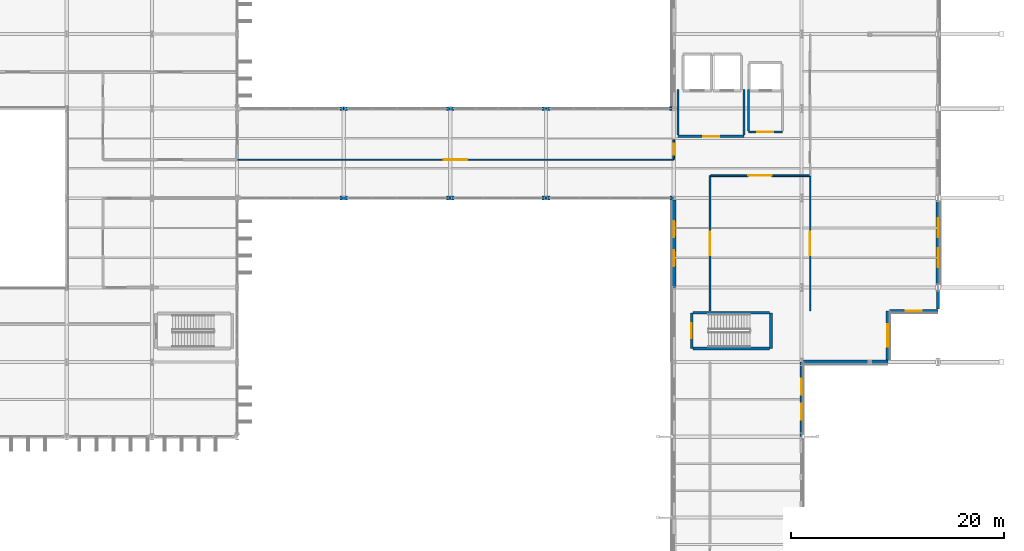
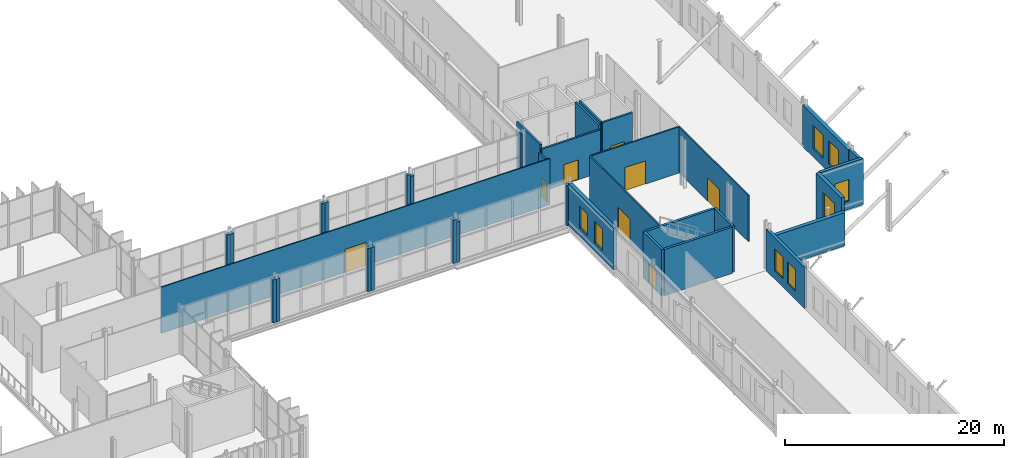
# One storey, part 126 of 147: 35 walls, 8 doors, 8 windows, 16 openings.
"""IFC4 building model written with IfcOpenShell, lengths in metres."""

from ifc_helpers import new_model, si_unit, direction, frame, frame_2d, origin, place, context, subcontext, project, spatial, rectangle, extrude, material, layer, layer_set, type_object, element, fill, save


model = new_model("IFC4")

# Units and contexts
model_context = context("Model", 3, precision=1e-05, world=origin(), true_north=direction((0.0, 1.0)))
body_context = subcontext(model_context, "Body", "Model", "MODEL_VIEW")
ifc_project = project(units=[si_unit("LENGTHUNIT", "METRE"), si_unit("AREAUNIT", "SQUARE_METRE"), si_unit("VOLUMEUNIT", "CUBIC_METRE"), si_unit("PLANEANGLEUNIT", "RADIAN"), si_unit("MASSUNIT", "GRAM", prefix="KILO")], contexts=[model_context])

# Site, building, storey
site_placement = place(None, origin())
site = spatial("IfcSite", under=ifc_project, at=site_placement, CompositionType="ELEMENT")
building_placement = place(site_placement, origin())
building = spatial("IfcBuilding", under=site, at=building_placement, Name="Vekula Escarpment Museum", CompositionType="ELEMENT")
storey_placement = place(building_placement, frame((0.0, 0.0, 7.800048828125)))
storey = spatial("IfcBuildingStorey", under=building, at=storey_placement, Name="L02", CompositionType="ELEMENT", Elevation=7.800048828125)

# Wall, openings, windows
ifc_material_1 = material(Name="Inkisi arkosic sandstone masonry", Category="masonry")
ifc_layer_1 = layer(ifc_material_1, 0.300048828125)
ifc_layer_set_1 = layer_set([ifc_layer_1], Name="Inkisi arkosic sandstone masonry")
wall_type_1 = type_object("IfcWallType", Name="WL-ALM-300", PredefinedType="SOLIDWALL", material=ifc_layer_set_1)
wall_1_placement = place(storey_placement, frame((179.0, 52.60009765625, 0.0), z_axis=(0.0, 0.0, 1.0), x_axis=(0.0, -1.0, 0.0)))
wall_1 = element("IfcWall", 1, at=wall_1_placement, inside=storey, type_object=wall_type_1, Name="Exterior Wall WL-EXT-L02-0387", PredefinedType="SOLIDWALL", context=body_context, shape_type="SweptSolid", body=[
    extrude(rectangle(XDim=7.0, YDim=0.300048828125, at=frame_2d((3.5, 0.0))), origin(), (0.0, 0.0, 1.0), 4.60498046875),
])
opening_1_placement = place(wall_1_placement, frame((1.583251953125, 0.0, 0.949951171875)))
opening_1 = element("IfcOpeningElement", 2, at=opening_1_placement, cuts=wall_1, Name="Opening WN-06", PredefinedType="OPENING", context=body_context, shape_type="SweptSolid", body=[
    extrude(rectangle(XDim=1.5, YDim=2.39990234375, at=frame_2d((0.75, 1.199951171875))), frame((0.0, 0.159912109375, 0.0), z_axis=(0.0, -1.0, 0.0), x_axis=(1.0, 0.0, 0.0)), (0.0, 0.0, 1.0), 0.320068359375),
])
opening_2_placement = place(wall_1_placement, frame((3.916748046875, 0.0, 0.949951171875)))
opening_2 = element("IfcOpeningElement", 3, at=opening_2_placement, cuts=wall_1, Name="Opening WN-06", PredefinedType="OPENING", context=body_context, shape_type="SweptSolid", body=[
    extrude(rectangle(XDim=1.5, YDim=2.39990234375, at=frame_2d((0.75, 1.199951171875))), frame((0.0, 0.159912109375, 0.0), z_axis=(0.0, -1.0, 0.0), x_axis=(1.0, 0.0, 0.0)), (0.0, 0.0, 1.0), 0.320068359375),
])
ifc_material_2 = material(Name="Double solar-control low-E glass", Category="glass")
window_type_1 = type_object("IfcWindowType", Name="WN-CUMBA-15x24", PartitioningType="SINGLE_PANEL", PredefinedType="WINDOW", material=ifc_material_2)
window_1_placement = place(opening_1_placement, origin())
window_1 = element("IfcWindow", 4, at=window_1_placement, inside=storey, type_object=window_type_1, Name="Window L02-0181", OverallHeight=2.39990234375, OverallWidth=1.5, PartitioningType="SINGLE_PANEL", PredefinedType="WINDOW", context=body_context, shape_type="SweptSolid", body=[
    extrude(rectangle(XDim=1.5, YDim=2.39990234375, at=frame_2d((0.75, 1.199951171875))), frame((0.0, 0.030029296875, 0.0), z_axis=(0.0, -1.0, 0.0), x_axis=(1.0, 0.0, 0.0)), (0.0, 0.0, 1.0), 0.06005859375),
])
fill(opening_1, window_1)
window_2_placement = place(opening_2_placement, origin())
window_2 = element("IfcWindow", 5, at=window_2_placement, inside=storey, type_object=window_type_1, Name="Window L02-0182", OverallHeight=2.39990234375, OverallWidth=1.5, PartitioningType="SINGLE_PANEL", PredefinedType="WINDOW", context=body_context, shape_type="SweptSolid", body=[
    extrude(rectangle(XDim=1.5, YDim=2.39990234375, at=frame_2d((0.75, 1.199951171875))), frame((0.0, 0.030029296875, 0.0), z_axis=(0.0, -1.0, 0.0), x_axis=(1.0, 0.0, 0.0)), (0.0, 0.0, 1.0), 0.06005859375),
])
fill(opening_2, window_2)

# Wall
wall_2_placement = place(storey_placement, frame((191.800048828125, 59.60009765625, 0.0), z_axis=(0.0, 0.0, 1.0), x_axis=(0.0, -1.0, 0.0)))
element("IfcWall", 6, at=wall_2_placement, inside=storey, type_object=wall_type_1, Name="Exterior Wall WL-EXT-L02-0391", PredefinedType="SOLIDWALL", context=body_context, shape_type="SweptSolid", body=[
    extrude(rectangle(XDim=2.0361328125, YDim=0.300048828125, at=frame_2d((1.01806640625, 0.0))), origin(), (0.0, 0.0, 1.0), 4.81494140625),
])

# Wall, opening, window
ifc_material_3 = material(Name="Inkisi arkosic sandstone masonry", Category="masonry")
ifc_layer_2 = layer(ifc_material_3, 0.320068359375)
ifc_layer_set_2 = layer_set([ifc_layer_2], Name="Inkisi arkosic sandstone masonry")
wall_type_2 = type_object("IfcWallType", Name="WL-ALM-320", PredefinedType="SOLIDWALL", material=ifc_layer_set_2)
wall_3_placement = place(storey_placement, frame((191.800048828125, 57.39990234375, 0.0), z_axis=(0.0, 0.0, 1.0), x_axis=(-1.0, 0.0, 0.0)))
wall_3 = element("IfcWall", 7, at=wall_3_placement, inside=storey, type_object=wall_type_2, Name="Exterior Wall WL-EXT-L02-0390", PredefinedType="SOLIDWALL", context=body_context, shape_type="SweptSolid", body=[
    extrude(rectangle(XDim=4.532958984375, YDim=0.320068359375, at=frame_2d((2.2666015625, 0.0))), origin(), (0.0, 0.0, 1.0), 5.14990234375),
])
opening_3_placement = place(wall_3_placement, frame((1.5166015625, 0.0, 0.949951171875)))
opening_3 = element("IfcOpeningElement", 8, at=opening_3_placement, cuts=wall_3, Name="Opening WN-06", PredefinedType="OPENING", context=body_context, shape_type="SweptSolid", body=[
    extrude(rectangle(XDim=1.5, YDim=2.39990234375, at=frame_2d((0.75, 1.199951171875))), frame((0.0, 0.169921875, 0.0), z_axis=(0.0, -1.0, 0.0), x_axis=(1.0, 0.0, 0.0)), (0.0, 0.0, 1.0), 0.340087890625),
])
window_3_placement = place(opening_3_placement, origin())
window_3 = element("IfcWindow", 9, at=window_3_placement, inside=storey, type_object=window_type_1, Name="Window L02-0184", OverallHeight=2.39990234375, OverallWidth=1.5, PartitioningType="SINGLE_PANEL", PredefinedType="WINDOW", context=body_context, shape_type="SweptSolid", body=[
    extrude(rectangle(XDim=1.5, YDim=2.39990234375, at=frame_2d((0.75, 1.199951171875))), frame((0.0, 0.030029296875, 0.0), z_axis=(0.0, -1.0, 0.0), x_axis=(1.0, 0.0, 0.0)), (0.0, 0.0, 1.0), 0.06005859375),
])
fill(opening_3, window_3)

# Walls
ifc_material_4 = material(Name="Inkisi arkosic sandstone masonry", Category="masonry")
ifc_layer_3 = layer(ifc_material_4, 0.35009765625)
ifc_layer_set_3 = layer_set([ifc_layer_3], Name="Inkisi arkosic sandstone masonry")
wall_type_3 = type_object("IfcWallType", Name="WL-ALM-350", PredefinedType="SOLIDWALL", material=ifc_layer_set_3)
for number, where, z_axis, x_axis, name in (
    (10, (135.639892578125, 68.0, 0.0), (0.0, 0.0, 1.0), (1.0, 0.0, 0.0), "Facade Jamb Pier L02-0353B"),
    (11, (136.0, 68.0, 0.0), (0.0, 0.0, 1.0), (1.0, 0.0, 0.0), "Facade Jamb Pier L02-0354A"),
    (12, (145.639892578125, 68.0, 0.0), (0.0, 0.0, 1.0), (1.0, 0.0, 0.0), "Facade Jamb Pier L02-0355B"),
    (13, (146.0, 68.0, 0.0), (0.0, 0.0, 1.0), (1.0, 0.0, 0.0), "Facade Jamb Pier L02-0356A"),
    (14, (154.639892578125, 68.0, 0.0), (0.0, 0.0, 1.0), (1.0, 0.0, 0.0), "Facade Jamb Pier L02-0357B"),
):
    element("IfcWall", number, at=place(storey_placement, frame(where, z_axis=z_axis, x_axis=x_axis)), inside=storey, type_object=wall_type_3, Name=name, PredefinedType="SOLIDWALL", context=body_context, shape_type="SweptSolid", body=[
        extrude(rectangle(XDim=0.360107421875, YDim=0.35009765625, at=frame_2d((0.18017578125, 0.0))), origin(), (0.0, 0.0, 1.0), 4.81494140625),
    ])
for number, where, z_axis, x_axis, name in (
    (15, (155.0, 68.0, 0.0), (0.0, 0.0, 1.0), (1.0, 0.0, 0.0), "Facade Jamb Pier L02-0358A"),
    (16, (166.639892578125, 68.0, 0.0), (0.0, 0.0, 1.0), (1.0, 0.0, 0.0), "Facade Jamb Pier L02-0359B"),
):
    element("IfcWall", number, at=place(storey_placement, frame(where, z_axis=z_axis, x_axis=x_axis)), inside=storey, type_object=wall_type_3, Name=name, PredefinedType="SOLIDWALL", context=body_context, shape_type="SweptSolid", body=[
        extrude(rectangle(XDim=0.360107421875, YDim=0.35009765625, at=frame_2d((0.18017578125, 0.0))), origin(), (0.0, 0.0, 1.0), 4.5048828125),
    ])

# Wall, opening, window
wall_4_placement = place(storey_placement, frame((187.087890625, 57.39990234375, 0.0), z_axis=(0.0, 0.0, 1.0), x_axis=(0.0, -1.0, 0.0)))
wall_4 = element("IfcWall", 17, at=wall_4_placement, inside=storey, type_object=wall_type_3, Name="Exterior Wall WL-EXT-L02-0389", PredefinedType="SOLIDWALL", context=body_context, shape_type="SweptSolid", body=[
    extrude(rectangle(XDim=4.60595703125, YDim=0.35009765625, at=frame_2d((2.302978515625, 0.0))), origin(), (0.0, 0.0, 1.0), 5.14990234375),
])
opening_4_placement = place(wall_4_placement, frame((1.2529296875, 0.0, 0.949951171875)))
opening_4 = element("IfcOpeningElement", 18, at=opening_4_placement, cuts=wall_4, Name="Opening WN-08", PredefinedType="OPENING", context=body_context, shape_type="SweptSolid", body=[
    extrude(rectangle(XDim=2.10009765625, YDim=2.800048828125, at=frame_2d((1.050048828125, 1.39990234375))), frame((0.0, 0.18505859375, 0.0), z_axis=(0.0, -1.0, 0.0), x_axis=(1.0, 0.0, 0.0)), (0.0, 0.0, 1.0), 0.3701171875),
])
ifc_material_5 = material(Name="Double solar-control low-E glass", Category="glass")
window_type_2 = type_object("IfcWindowType", Name="WN-CUMBA-21x28", PartitioningType="DOUBLE_PANEL_VERTICAL", PredefinedType="WINDOW", material=ifc_material_5)
window_4_placement = place(opening_4_placement, origin())
window_4 = element("IfcWindow", 19, at=window_4_placement, inside=storey, type_object=window_type_2, Name="Window L02-0183", OverallHeight=2.800048828125, OverallWidth=2.10009765625, PartitioningType="SINGLE_PANEL", PredefinedType="WINDOW", context=body_context, shape_type="SweptSolid", body=[
    extrude(rectangle(XDim=2.10009765625, YDim=2.800048828125, at=frame_2d((1.050048828125, 1.39990234375))), frame((0.0, 0.030029296875, 0.0), z_axis=(0.0, -1.0, 0.0), x_axis=(1.0, 0.0, 0.0)), (0.0, 0.0, 1.0), 0.06005859375),
])
fill(opening_4, window_4)

# Walls
wall_5_placement = place(storey_placement, frame((166.821044921875, 76.39990234375, 0.0), z_axis=(0.0, 0.0, 1.0), x_axis=(-1.0, 0.0, 0.0)))
element("IfcWall", 20, at=wall_5_placement, inside=storey, type_object=wall_type_3, Name="Facade Jamb Pier L02-0414A", PredefinedType="SOLIDWALL", context=body_context, shape_type="SweptSolid", body=[
    extrude(rectangle(XDim=0.18115234375, YDim=0.35009765625, at=frame_2d((0.090576171875, 0.0))), origin(), (0.0, 0.0, 1.0), 5.14990234375),
])
wall_6_placement = place(storey_placement, frame((155.360107421875, 76.39990234375, 0.0), z_axis=(0.0, 0.0, 1.0), x_axis=(-1.0, 0.0, 0.0)))
element("IfcWall", 21, at=wall_6_placement, inside=storey, type_object=wall_type_3, Name="Facade Jamb Pier L02-0415B", PredefinedType="SOLIDWALL", context=body_context, shape_type="SweptSolid", body=[
    extrude(rectangle(XDim=0.360107421875, YDim=0.35009765625, at=frame_2d((0.18017578125, 0.0))), origin(), (0.0, 0.0, 1.0), 4.5048828125),
])
for number, where, z_axis, x_axis, name in (
    (22, (155.0, 76.39990234375, 0.0), (0.0, 0.0, 1.0), (-1.0, 0.0, 0.0), "Facade Jamb Pier L02-0416A"),
    (23, (146.360107421875, 76.39990234375, 0.0), (0.0, 0.0, 1.0), (-1.0, 0.0, 0.0), "Facade Jamb Pier L02-0417B"),
    (24, (146.0, 76.39990234375, 0.0), (0.0, 0.0, 1.0), (-1.0, 0.0, 0.0), "Facade Jamb Pier L02-0418A"),
    (25, (136.360107421875, 76.39990234375, 0.0), (0.0, 0.0, 1.0), (-1.0, 0.0, 0.0), "Facade Jamb Pier L02-0419B"),
    (26, (136.0, 76.39990234375, 0.0), (0.0, 0.0, 1.0), (-1.0, 0.0, 0.0), "Facade Jamb Pier L02-0420A"),
):
    element("IfcWall", number, at=place(storey_placement, frame(where, z_axis=z_axis, x_axis=x_axis)), inside=storey, type_object=wall_type_3, Name=name, PredefinedType="SOLIDWALL", context=body_context, shape_type="SweptSolid", body=[
        extrude(rectangle(XDim=0.360107421875, YDim=0.35009765625, at=frame_2d((0.18017578125, 0.0))), origin(), (0.0, 0.0, 1.0), 4.744873046875),
    ])

# Wall, openings, windows
ifc_material_6 = material(Name="Inkisi arkosic sandstone masonry", Category="masonry")
ifc_layer_4 = layer(ifc_material_6, 0.3798828125)
ifc_layer_set_4 = layer_set([ifc_layer_4], Name="Inkisi arkosic sandstone masonry")
wall_type_4 = type_object("IfcWallType", Name="WL-ALM-380", PredefinedType="SOLIDWALL", material=ifc_layer_set_4)
wall_7_placement = place(storey_placement, frame((167.0, 59.60009765625, 0.0), z_axis=(0.0, 0.0, 1.0), x_axis=(0.0, 1.0, 0.0)))
wall_7 = element("IfcWall", 27, at=wall_7_placement, inside=storey, type_object=wall_type_4, Name="Exterior Wall WL-EXT-L02-0360", PredefinedType="SOLIDWALL", context=body_context, shape_type="SweptSolid", body=[
    extrude(rectangle(XDim=8.220947265625, YDim=0.3798828125, at=frame_2d((4.1103515625, 0.0))), origin(), (0.0, 0.0, 1.0), 4.6650390625),
])
opening_5_placement = place(wall_7_placement, frame((1.990234375, 0.0, 0.949951171875)))
opening_5 = element("IfcOpeningElement", 28, at=opening_5_placement, cuts=wall_7, Name="Opening WN-06", PredefinedType="OPENING", context=body_context, shape_type="SweptSolid", body=[
    extrude(rectangle(XDim=1.5, YDim=2.39990234375, at=frame_2d((0.75, 1.199951171875))), frame((0.0, 0.199951171875, 0.0), z_axis=(0.0, -1.0, 0.0), x_axis=(1.0, 0.0, 0.0)), (0.0, 0.0, 1.0), 0.39990234375),
])
opening_6_placement = place(wall_7_placement, frame((4.730712890625, 0.0, 0.949951171875)))
opening_6 = element("IfcOpeningElement", 29, at=opening_6_placement, cuts=wall_7, Name="Opening WN-06", PredefinedType="OPENING", context=body_context, shape_type="SweptSolid", body=[
    extrude(rectangle(XDim=1.5, YDim=2.39990234375, at=frame_2d((0.75, 1.199951171875))), frame((0.0, 0.199951171875, 0.0), z_axis=(0.0, -1.0, 0.0), x_axis=(1.0, 0.0, 0.0)), (0.0, 0.0, 1.0), 0.39990234375),
])
window_5_placement = place(opening_5_placement, origin())
window_5 = element("IfcWindow", 30, at=window_5_placement, inside=storey, type_object=window_type_1, Name="Window L02-0145", OverallHeight=2.39990234375, OverallWidth=1.5, PartitioningType="SINGLE_PANEL", PredefinedType="WINDOW", context=body_context, shape_type="SweptSolid", body=[
    extrude(rectangle(XDim=1.5, YDim=2.39990234375, at=frame_2d((0.75, 1.199951171875))), frame((0.0, 0.030029296875, 0.0), z_axis=(0.0, -1.0, 0.0), x_axis=(1.0, 0.0, 0.0)), (0.0, 0.0, 1.0), 0.06005859375),
])
fill(opening_5, window_5)
window_6_placement = place(opening_6_placement, origin())
window_6 = element("IfcWindow", 31, at=window_6_placement, inside=storey, type_object=window_type_1, Name="Window L02-0146", OverallHeight=2.39990234375, OverallWidth=1.5, PartitioningType="SINGLE_PANEL", PredefinedType="WINDOW", context=body_context, shape_type="SweptSolid", body=[
    extrude(rectangle(XDim=1.5, YDim=2.39990234375, at=frame_2d((0.75, 1.199951171875))), frame((0.0, 0.030029296875, 0.0), z_axis=(0.0, -1.0, 0.0), x_axis=(1.0, 0.0, 0.0)), (0.0, 0.0, 1.0), 0.06005859375),
])
fill(opening_6, window_6)

# Wall
wall_8_placement = place(storey_placement, frame((187.087890625, 52.60009765625, 0.0), z_axis=(0.0, 0.0, 1.0), x_axis=(-1.0, 0.0, 0.0)))
element("IfcWall", 32, at=wall_8_placement, inside=storey, type_object=wall_type_4, Name="Exterior Wall WL-EXT-L02-0388", PredefinedType="SOLIDWALL", context=body_context, shape_type="SweptSolid", body=[
    extrude(rectangle(XDim=7.933837890625, YDim=0.3798828125, at=frame_2d((3.966796875, 0.0))), origin(), (0.0, 0.0, 1.0), 3.704833984375),
])

# Wall, openings, windows
wall_9_placement = place(storey_placement, frame((191.800048828125, 68.0, 0.0), z_axis=(0.0, 0.0, 1.0), x_axis=(0.0, -1.0, 0.0)))
wall_9 = element("IfcWall", 33, at=wall_9_placement, inside=storey, type_object=wall_type_4, Name="Exterior Wall WL-EXT-L02-0392", PredefinedType="SOLIDWALL", context=body_context, shape_type="SweptSolid", body=[
    extrude(rectangle(XDim=8.39990234375, YDim=0.3798828125, at=frame_2d((4.199951171875, 0.0))), origin(), (0.0, 0.0, 1.0), 4.6650390625),
])
opening_7_placement = place(wall_9_placement, frame((1.89990234375, 0.0, 0.949951171875)))
opening_7 = element("IfcOpeningElement", 34, at=opening_7_placement, cuts=wall_9, Name="Opening WN-07", PredefinedType="OPENING", context=body_context, shape_type="SweptSolid", body=[
    extrude(rectangle(XDim=1.800048828125, YDim=2.60009765625, at=frame_2d((0.89990234375, 1.300048828125))), frame((0.0, 0.199951171875, 0.0), z_axis=(0.0, -1.0, 0.0), x_axis=(1.0, 0.0, 0.0)), (0.0, 0.0, 1.0), 0.39990234375),
])
opening_8_placement = place(wall_9_placement, frame((4.699951171875, 0.0, 0.949951171875)))
opening_8 = element("IfcOpeningElement", 35, at=opening_8_placement, cuts=wall_9, Name="Opening WN-07", PredefinedType="OPENING", context=body_context, shape_type="SweptSolid", body=[
    extrude(rectangle(XDim=1.800048828125, YDim=2.60009765625, at=frame_2d((0.89990234375, 1.300048828125))), frame((0.0, 0.199951171875, 0.0), z_axis=(0.0, -1.0, 0.0), x_axis=(1.0, 0.0, 0.0)), (0.0, 0.0, 1.0), 0.39990234375),
])
ifc_material_7 = material(Name="Double solar-control low-E glass", Category="glass")
window_type_3 = type_object("IfcWindowType", Name="WN-CUMBA-18x26", PartitioningType="DOUBLE_PANEL_VERTICAL", PredefinedType="WINDOW", material=ifc_material_7)
window_7_placement = place(opening_7_placement, origin())
window_7 = element("IfcWindow", 36, at=window_7_placement, inside=storey, type_object=window_type_3, Name="Window L02-0185", OverallHeight=2.60009765625, OverallWidth=1.800048828125, PartitioningType="SINGLE_PANEL", PredefinedType="WINDOW", context=body_context, shape_type="SweptSolid", body=[
    extrude(rectangle(XDim=1.800048828125, YDim=2.60009765625, at=frame_2d((0.89990234375, 1.300048828125))), frame((0.0, 0.030029296875, 0.0), z_axis=(0.0, -1.0, 0.0), x_axis=(1.0, 0.0, 0.0)), (0.0, 0.0, 1.0), 0.06005859375),
])
fill(opening_7, window_7)
window_8_placement = place(opening_8_placement, origin())
window_8 = element("IfcWindow", 37, at=window_8_placement, inside=storey, type_object=window_type_3, Name="Window L02-0186", OverallHeight=2.60009765625, OverallWidth=1.800048828125, PartitioningType="SINGLE_PANEL", PredefinedType="WINDOW", context=body_context, shape_type="SweptSolid", body=[
    extrude(rectangle(XDim=1.800048828125, YDim=2.60009765625, at=frame_2d((0.89990234375, 1.300048828125))), frame((0.0, 0.030029296875, 0.0), z_axis=(0.0, -1.0, 0.0), x_axis=(1.0, 0.0, 0.0)), (0.0, 0.0, 1.0), 0.06005859375),
])
fill(opening_8, window_8)

# Wall, opening, door
ifc_material_8 = material(Name="Concrete C35/45", Category="concrete")
ifc_layer_5 = layer(ifc_material_8, 0.25)
ifc_layer_set_5 = layer_set([ifc_layer_5], Name="Concrete C35/45")
wall_type_5 = type_object("IfcWallType", Name="WL-CORE-250", PredefinedType="SHEAR", material=ifc_layer_set_5)
wall_10_placement = place(storey_placement, frame((168.675048828125, 53.875, 0.0), z_axis=(0.0, 0.0, 1.0), x_axis=(0.0, 1.0, 0.0)))
wall_10 = element("IfcWall", 38, at=wall_10_placement, inside=storey, type_object=wall_type_5, Name="Stair Core Wall ST-02 L02 W", PredefinedType="SHEAR", context=body_context, shape_type="SweptSolid", body=[
    extrude(rectangle(XDim=3.35009765625, YDim=0.25, at=frame_2d((1.675048828125, 0.0))), origin(), (0.0, 0.0, 1.0), 5.14990234375),
])
opening_9_placement = place(wall_10_placement, frame((0.97509765625, 0.0, 0.0)))
opening_9 = element("IfcOpeningElement", 39, at=opening_9_placement, cuts=wall_10, Name="Opening DR-FD60", PredefinedType="OPENING", context=body_context, shape_type="SweptSolid", body=[
    extrude(rectangle(XDim=1.39990234375, YDim=2.199951171875, at=frame_2d((0.699951171875, 1.10009765625))), frame((0.0, 0.135009765625, 0.0), z_axis=(0.0, -1.0, 0.0), x_axis=(1.0, 0.0, 0.0)), (0.0, 0.0, 1.0), 0.27001953125),
])
ifc_material_9 = material(Name="Fire-rated steel stair door", Category="steel")
door_type_1 = type_object("IfcDoorType", Name="DR-STAIR-1400x2200", OperationType="NOTDEFINED", PredefinedType="DOOR", material=ifc_material_9)
door_1_placement = place(opening_9_placement, origin())
door_1 = element("IfcDoor", 40, at=door_1_placement, inside=storey, type_object=door_type_1, Name="Protected Exit Stair Door ST-02 L02", OperationType="SINGLE_SWING_LEFT", OverallHeight=2.199951171875, OverallWidth=1.39990234375, PredefinedType="DOOR", context=body_context, shape_type="SweptSolid", body=[
    extrude(rectangle(XDim=1.39990234375, YDim=2.199951171875, at=frame_2d((0.699951171875, 1.10009765625))), frame((0.0, 0.02490234375, 0.0), z_axis=(0.0, -1.0, 0.0), x_axis=(1.0, 0.0, 0.0)), (0.0, 0.0, 1.0), 0.050048828125),
])
fill(opening_9, door_1)

# Walls
wall_11_placement = place(storey_placement, frame((176.125, 53.875, 0.0), z_axis=(0.0, 0.0, 1.0), x_axis=(0.0, 1.0, 0.0)))
element("IfcWall", 41, at=wall_11_placement, inside=storey, type_object=wall_type_5, Name="Stair Core Wall ST-02 L02 E", PredefinedType="SHEAR", context=body_context, shape_type="SweptSolid", body=[
    extrude(rectangle(XDim=3.35009765625, YDim=0.25, at=frame_2d((1.675048828125, 0.0))), origin(), (0.0, 0.0, 1.0), 5.14990234375),
])
for number, where, z_axis, x_axis, name in (
    (42, (168.803955078125, 53.875, 0.0), (0.0, 0.0, 1.0), (1.0, 0.0, 0.0), "Stair Core Wall ST-02 L02 S"),
    (43, (168.803955078125, 57.22509765625, 0.0), (0.0, 0.0, 1.0), (1.0, 0.0, 0.0), "Stair Core Wall ST-02 L02 N"),
):
    element("IfcWall", number, at=place(storey_placement, frame(where, z_axis=z_axis, x_axis=x_axis)), inside=storey, type_object=wall_type_5, Name=name, PredefinedType="SHEAR", context=body_context, shape_type="SweptSolid", body=[
        extrude(rectangle(XDim=7.192138671875, YDim=0.25, at=frame_2d((3.59619140625, 0.0))), origin(), (0.0, 0.0, 1.0), 5.14990234375),
    ])

# Wall, opening, door
ifc_material_10 = material(Name="Concrete C35/45", Category="concrete")
ifc_layer_6 = layer(ifc_material_10, 0.199951171875)
ifc_layer_set_6 = layer_set([ifc_layer_6], Name="Concrete C35/45")
wall_type_6 = type_object("IfcWallType", Name="WL-FFL-200", PredefinedType="PARTITIONING", material=ifc_layer_set_6)
wall_12_placement = place(storey_placement, frame((167.39990234375, 73.800048828125, 0.0), z_axis=(0.0, 0.0, 1.0), x_axis=(1.0, 0.0, 0.0)))
wall_12 = element("IfcWall", 44, at=wall_12_placement, inside=storey, type_object=wall_type_6, Name="Lift Lobby Wall LF-01 L02 S", PredefinedType="PARTITIONING", context=body_context, shape_type="SweptSolid", body=[
    extrude(rectangle(XDim=6.2001953125, YDim=0.199951171875, at=frame_2d((3.10009765625, 0.0))), origin(), (0.0, 0.0, 1.0), 4.744873046875),
])
opening_10_placement = place(wall_12_placement, frame((2.35009765625, 0.0, 0.0)))
opening_10 = element("IfcOpeningElement", 45, at=opening_10_placement, cuts=wall_12, Name="Opening DR-FD60L", PredefinedType="OPENING", context=body_context, shape_type="SweptSolid", body=[
    extrude(rectangle(XDim=1.5, YDim=2.199951171875, at=frame_2d((0.75, 1.10009765625))), frame((0.0, 0.10986328125, 0.0), z_axis=(0.0, -1.0, 0.0), x_axis=(1.0, 0.0, 0.0)), (0.0, 0.0, 1.0), 0.219970703125),
])
ifc_material_11 = material(Name="Fire-rated glazed lobby door", Category="steel")
door_type_2 = type_object("IfcDoorType", Name="DR-FFLOB-1500x2200", OperationType="NOTDEFINED", PredefinedType="DOOR", material=ifc_material_11)
door_2_placement = place(opening_10_placement, origin())
door_2 = element("IfcDoor", 46, at=door_2_placement, inside=storey, type_object=door_type_2, Name="Lift Lobby Fire Door LF-01 L02", OperationType="SINGLE_SWING_LEFT", OverallHeight=2.199951171875, OverallWidth=1.5, PredefinedType="DOOR", context=body_context, shape_type="SweptSolid", body=[
    extrude(rectangle(XDim=1.5, YDim=2.199951171875, at=frame_2d((0.75, 1.10009765625))), frame((0.0, 0.02490234375, 0.0), z_axis=(0.0, -1.0, 0.0), x_axis=(1.0, 0.0, 0.0)), (0.0, 0.0, 1.0), 0.050048828125),
])
fill(opening_10, door_2)

# Walls
for number, where, z_axis, x_axis, name in (
    (47, (167.39990234375, 73.904052734375, 0.0), (0.0, 0.0, 1.0), (0.0, 1.0, 0.0), "Lift Lobby Wall LF-01 L02 W"),
    (48, (173.60009765625, 73.904052734375, 0.0), (0.0, 0.0, 1.0), (0.0, 1.0, 0.0), "Lift Lobby Wall LF-01 L02 E"),
):
    element("IfcWall", number, at=place(storey_placement, frame(where, z_axis=z_axis, x_axis=x_axis)), inside=storey, type_object=wall_type_6, Name=name, PredefinedType="PARTITIONING", context=body_context, shape_type="SweptSolid", body=[
        extrude(rectangle(XDim=4.2958984375, YDim=0.199951171875, at=frame_2d((2.14794921875, 0.0))), origin(), (0.0, 0.0, 1.0), 5.14990234375),
    ])

# Wall, opening, door
wall_13_placement = place(storey_placement, frame((174.0, 74.199951171875, 0.0), z_axis=(0.0, 0.0, 1.0), x_axis=(1.0, 0.0, 0.0)))
wall_13 = element("IfcWall", 49, at=wall_13_placement, inside=storey, type_object=wall_type_6, Name="Lift Lobby Wall LP-03 L02 S", PredefinedType="PARTITIONING", context=body_context, shape_type="SweptSolid", body=[
    extrude(rectangle(XDim=3.199951171875, YDim=0.199951171875, at=frame_2d((1.60009765625, 0.0))), origin(), (0.0, 0.0, 1.0), 5.14990234375),
])
opening_11_placement = place(wall_13_placement, frame((0.85009765625, 0.0, 0.0)))
opening_11 = element("IfcOpeningElement", 50, at=opening_11_placement, cuts=wall_13, Name="Opening DR-FD60L", PredefinedType="OPENING", context=body_context, shape_type="SweptSolid", body=[
    extrude(rectangle(XDim=1.5, YDim=2.199951171875, at=frame_2d((0.75, 1.10009765625))), frame((0.0, 0.10986328125, 0.0), z_axis=(0.0, -1.0, 0.0), x_axis=(1.0, 0.0, 0.0)), (0.0, 0.0, 1.0), 0.219970703125),
])
door_3_placement = place(opening_11_placement, origin())
door_3 = element("IfcDoor", 51, at=door_3_placement, inside=storey, type_object=door_type_2, Name="Lift Lobby Fire Door LP-03 L02", OperationType="SINGLE_SWING_LEFT", OverallHeight=2.199951171875, OverallWidth=1.5, PredefinedType="DOOR", context=body_context, shape_type="SweptSolid", body=[
    extrude(rectangle(XDim=1.5, YDim=2.199951171875, at=frame_2d((0.75, 1.10009765625))), frame((0.0, 0.02490234375, 0.0), z_axis=(0.0, -1.0, 0.0), x_axis=(1.0, 0.0, 0.0)), (0.0, 0.0, 1.0), 0.050048828125),
])
fill(opening_11, door_3)

# Wall
wall_14_placement = place(storey_placement, frame((174.0, 74.303955078125, 0.0), z_axis=(0.0, 0.0, 1.0), x_axis=(0.0, 1.0, 0.0)))
element("IfcWall", 52, at=wall_14_placement, inside=storey, type_object=wall_type_6, Name="Lift Lobby Wall LP-03 L02 W", PredefinedType="PARTITIONING", context=body_context, shape_type="SweptSolid", body=[
    extrude(rectangle(XDim=3.89599609375, YDim=0.199951171875, at=frame_2d((1.947998046875, 0.0))), origin(), (0.0, 0.0, 1.0), 5.14990234375),
])

# Wall, opening, door
ifc_material_12 = material(Name="Lightweight studio partition", Category="gypsum")
ifc_layer_7 = layer(ifc_material_12, 0.1201171875)
ifc_layer_set_7 = layer_set([ifc_layer_7], Name="Lightweight studio partition")
wall_type_7 = type_object("IfcWallType", Name="WL-PART-120", PredefinedType="PARTITIONING", material=ifc_layer_set_7)
wall_15_placement = place(storey_placement, frame((126.0, 71.60009765625, 0.0), z_axis=(0.0, 0.0, 1.0), x_axis=(1.0, 0.0, 0.0)))
wall_15 = element("IfcWall", 53, at=wall_15_placement, inside=storey, type_object=wall_type_7, Name="Interior Partition WL-INT-L02-0051", PredefinedType="PARTITIONING", context=body_context, shape_type="SweptSolid", body=[
    extrude(rectangle(XDim=41.0, YDim=0.1201171875, at=frame_2d((20.5, 0.0))), origin(), (0.0, 0.0, 1.0), 5.14990234375),
])
opening_12_placement = place(wall_15_placement, frame((19.39990234375, 0.0, 0.0)))
opening_12 = element("IfcOpeningElement", 54, at=opening_12_placement, cuts=wall_15, Name="Opening DR-GL22", PredefinedType="OPENING", context=body_context, shape_type="SweptSolid", body=[
    extrude(rectangle(XDim=2.199951171875, YDim=2.60009765625, at=frame_2d((1.10009765625, 1.300048828125))), frame((0.0, 0.070068359375, 0.0), z_axis=(0.0, -1.0, 0.0), x_axis=(1.0, 0.0, 0.0)), (0.0, 0.0, 1.0), 0.14013671875),
])
ifc_material_13 = material(Name="Double acoustic timber gallery door", Category="wood")
door_type_3 = type_object("IfcDoorType", Name="DR-GAL-2200x2600", OperationType="NOTDEFINED", PredefinedType="DOOR", material=ifc_material_13)
door_4_placement = place(opening_12_placement, origin())
door_4 = element("IfcDoor", 55, at=door_4_placement, inside=storey, type_object=door_type_3, Name="Interior Door L02-047", OperationType="SINGLE_SWING_LEFT", OverallHeight=2.60009765625, OverallWidth=2.199951171875, PredefinedType="DOOR", context=body_context, shape_type="SweptSolid", body=[
    extrude(rectangle(XDim=2.199951171875, YDim=2.60009765625, at=frame_2d((1.10009765625, 1.300048828125))), frame((0.0, 0.02490234375, 0.0), z_axis=(0.0, -1.0, 0.0), x_axis=(1.0, 0.0, 0.0)), (0.0, 0.0, 1.0), 0.050048828125),
])
fill(opening_12, door_4)

wall_16_placement = place(storey_placement, frame((179.800048828125, 57.39990234375, 0.0), z_axis=(0.0, 0.0, 1.0), x_axis=(0.0, 1.0, 0.0)))
wall_16 = element("IfcWall", 56, at=wall_16_placement, inside=storey, type_object=wall_type_7, Name="Interior Partition WL-INT-L02-0060", PredefinedType="PARTITIONING", context=body_context, shape_type="SweptSolid", body=[
    extrude(rectangle(XDim=12.7001953125, YDim=0.1201171875, at=frame_2d((6.35009765625, 0.0))), origin(), (0.0, 0.0, 1.0), 5.14990234375),
])
opening_13_placement = place(wall_16_placement, frame((5.25, 0.0, 0.0)))
opening_13 = element("IfcOpeningElement", 57, at=opening_13_placement, cuts=wall_16, Name="Opening DR-GL22", PredefinedType="OPENING", context=body_context, shape_type="SweptSolid", body=[
    extrude(rectangle(XDim=2.199951171875, YDim=2.60009765625, at=frame_2d((1.10009765625, 1.300048828125))), frame((0.0, 0.070068359375, 0.0), z_axis=(0.0, -1.0, 0.0), x_axis=(1.0, 0.0, 0.0)), (0.0, 0.0, 1.0), 0.14013671875),
])
door_5_placement = place(opening_13_placement, origin())
door_5 = element("IfcDoor", 58, at=door_5_placement, inside=storey, type_object=door_type_3, Name="Interior Door L02-055", OperationType="SINGLE_SWING_LEFT", OverallHeight=2.60009765625, OverallWidth=2.199951171875, PredefinedType="DOOR", context=body_context, shape_type="SweptSolid", body=[
    extrude(rectangle(XDim=2.199951171875, YDim=2.60009765625, at=frame_2d((1.10009765625, 1.300048828125))), frame((0.0, 0.02490234375, 0.0), z_axis=(0.0, -1.0, 0.0), x_axis=(1.0, 0.0, 0.0)), (0.0, 0.0, 1.0), 0.050048828125),
])
fill(opening_13, door_5)

ifc_material_14 = material(Name="Gypsum board dry-lined partition", Category="gypsum")
ifc_layer_8 = layer(ifc_material_14, 0.14990234375)
ifc_layer_set_8 = layer_set([ifc_layer_8], Name="Gypsum board dry-lined partition")
wall_type_8 = type_object("IfcWallType", Name="WL-PART-150", PredefinedType="PARTITIONING", material=ifc_layer_set_8)
wall_17_placement = place(storey_placement, frame((170.39990234375, 57.39990234375, 0.0), z_axis=(0.0, 0.0, 1.0), x_axis=(0.0, 1.0, 0.0)))
wall_17 = element("IfcWall", 59, at=wall_17_placement, inside=storey, type_object=wall_type_8, Name="Interior Partition WL-INT-L02-0053", PredefinedType="PARTITIONING", context=body_context, shape_type="SweptSolid", body=[
    extrude(rectangle(XDim=12.7001953125, YDim=0.14990234375, at=frame_2d((6.35009765625, 0.0))), origin(), (0.0, 0.0, 1.0), 5.14990234375),
])
opening_14_placement = place(wall_17_placement, frame((5.25, 0.0, 0.0)))
opening_14 = element("IfcOpeningElement", 60, at=opening_14_placement, cuts=wall_17, Name="Opening DR-GL22", PredefinedType="OPENING", context=body_context, shape_type="SweptSolid", body=[
    extrude(rectangle(XDim=2.199951171875, YDim=2.60009765625, at=frame_2d((1.10009765625, 1.300048828125))), frame((0.0, 0.0849609375, 0.0), z_axis=(0.0, -1.0, 0.0), x_axis=(1.0, 0.0, 0.0)), (0.0, 0.0, 1.0), 0.169921875),
])
door_6_placement = place(opening_14_placement, origin())
door_6 = element("IfcDoor", 61, at=door_6_placement, inside=storey, type_object=door_type_3, Name="Interior Door L02-049", OperationType="SINGLE_SWING_LEFT", OverallHeight=2.60009765625, OverallWidth=2.199951171875, PredefinedType="DOOR", context=body_context, shape_type="SweptSolid", body=[
    extrude(rectangle(XDim=2.199951171875, YDim=2.60009765625, at=frame_2d((1.10009765625, 1.300048828125))), frame((0.0, 0.02490234375, 0.0), z_axis=(0.0, -1.0, 0.0), x_axis=(1.0, 0.0, 0.0)), (0.0, 0.0, 1.0), 0.050048828125),
])
fill(opening_14, door_6)

ifc_material_15 = material(Name="Gypsum board gallery partition", Category="gypsum")
ifc_layer_9 = layer(ifc_material_15, 0.159912109375)
ifc_layer_set_9 = layer_set([ifc_layer_9], Name="Gypsum board gallery partition")
wall_type_9 = type_object("IfcWallType", Name="WL-PART-160", PredefinedType="PARTITIONING", material=ifc_layer_set_9)
wall_18_placement = place(storey_placement, frame((167.0, 71.6640625, 0.0), z_axis=(0.0, 0.0, 1.0), x_axis=(0.0, 1.0, 0.0)))
wall_18 = element("IfcWall", 62, at=wall_18_placement, inside=storey, type_object=wall_type_9, Name="Interior Partition WL-INT-L02-0052", PredefinedType="PARTITIONING", context=body_context, shape_type="SweptSolid", body=[
    extrude(rectangle(XDim=1.8359375, YDim=0.159912109375, at=frame_2d((0.91796875, 0.0))), origin(), (0.0, 0.0, 1.0), 4.6650390625),
])
opening_15_placement = place(wall_18_placement, frame((0.41796875, 0.0, 0.0)))
opening_15 = element("IfcOpeningElement", 63, at=opening_15_placement, cuts=wall_18, Name="Opening DR-OF10", PredefinedType="OPENING", context=body_context, shape_type="SweptSolid", body=[
    extrude(rectangle(XDim=1.0, YDim=2.14990234375, at=frame_2d((0.5, 1.074951171875))), frame((0.0, 0.08984375, 0.0), z_axis=(0.0, -1.0, 0.0), x_axis=(1.0, 0.0, 0.0)), (0.0, 0.0, 1.0), 0.179931640625),
])
ifc_material_16 = material(Name="Solid core timber study door", Category="wood")
door_type_4 = type_object("IfcDoorType", Name="DR-OFF-1000x2150", OperationType="NOTDEFINED", PredefinedType="DOOR", material=ifc_material_16)
door_7_placement = place(opening_15_placement, origin())
door_7 = element("IfcDoor", 64, at=door_7_placement, inside=storey, type_object=door_type_4, Name="Interior Door L02-048", OperationType="SINGLE_SWING_RIGHT", OverallHeight=2.14990234375, OverallWidth=1.0, PredefinedType="DOOR", context=body_context, shape_type="SweptSolid", body=[
    extrude(rectangle(XDim=1.0, YDim=2.14990234375, at=frame_2d((0.5, 1.074951171875))), frame((0.0, 0.02490234375, 0.0), z_axis=(0.0, -1.0, 0.0), x_axis=(1.0, 0.0, 0.0)), (0.0, 0.0, 1.0), 0.050048828125),
])
fill(opening_15, door_7)

wall_19_placement = place(storey_placement, frame((170.47900390625, 70.10009765625, 0.0), z_axis=(0.0, 0.0, 1.0), x_axis=(1.0, 0.0, 0.0)))
wall_19 = element("IfcWall", 65, at=wall_19_placement, inside=storey, type_object=wall_type_9, Name="Interior Partition WL-INT-L02-0055", PredefinedType="PARTITIONING", context=body_context, shape_type="SweptSolid", body=[
    extrude(rectangle(XDim=9.257080078125, YDim=0.159912109375, at=frame_2d((4.62841796875, 0.0))), origin(), (0.0, 0.0, 1.0), 5.14990234375),
])
opening_16_placement = place(wall_19_placement, frame((3.528564453125, 0.0, 0.0)))
opening_16 = element("IfcOpeningElement", 66, at=opening_16_placement, cuts=wall_19, Name="Opening DR-GL22", PredefinedType="OPENING", context=body_context, shape_type="SweptSolid", body=[
    extrude(rectangle(XDim=2.199951171875, YDim=2.60009765625, at=frame_2d((1.10009765625, 1.300048828125))), frame((0.0, 0.08984375, 0.0), z_axis=(0.0, -1.0, 0.0), x_axis=(1.0, 0.0, 0.0)), (0.0, 0.0, 1.0), 0.179931640625),
])
door_8_placement = place(opening_16_placement, origin())
door_8 = element("IfcDoor", 67, at=door_8_placement, inside=storey, type_object=door_type_3, Name="Interior Door L02-051", OperationType="SINGLE_SWING_LEFT", OverallHeight=2.60009765625, OverallWidth=2.199951171875, PredefinedType="DOOR", context=body_context, shape_type="SweptSolid", body=[
    extrude(rectangle(XDim=2.199951171875, YDim=2.60009765625, at=frame_2d((1.10009765625, 1.300048828125))), frame((0.0, 0.02490234375, 0.0), z_axis=(0.0, -1.0, 0.0), x_axis=(1.0, 0.0, 0.0)), (0.0, 0.0, 1.0), 0.050048828125),
])
fill(opening_16, door_8)

save(model, "model.ifc")
